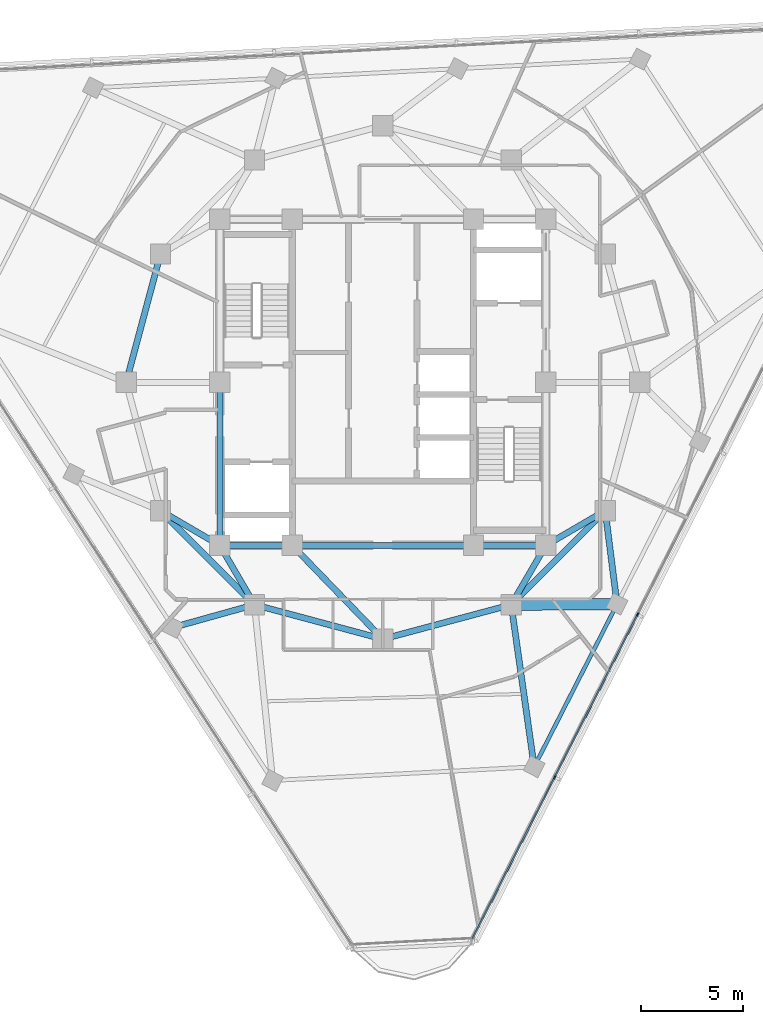
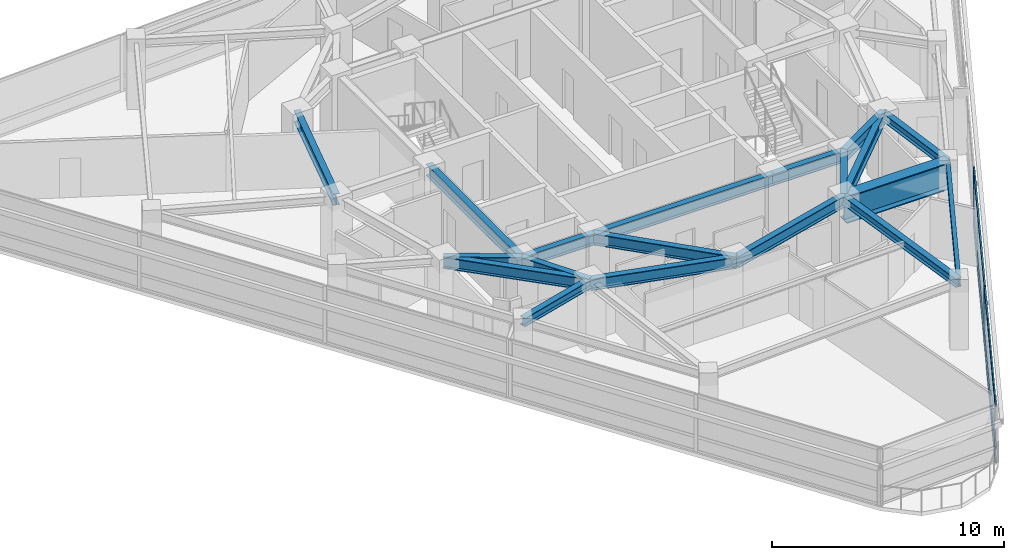
# One storey, part 3 of 15: 19 beams, 8 members, 1 element without a shape of its own.
"""IFC4 building model written with IfcOpenShell, lengths in metres."""

import ifcopenshell
import ifcopenshell.guid

model = None  # the IFC model being written
_history = None  # IfcOwnerHistory: only IFC2X3 demands one
_inside = {}  # id of a spatial element -> (the spatial element, [elements in it])
_under = {}  # id of a project, library or spatial element -> (it, [spatial elements below it])
_declared = {}  # id of a project -> (the project, [libraries it declares])
_typed = {}  # id of a type object -> (the type object, [elements of that type])
_made_of = {}  # id of a material, layer set ... -> (it, [elements and type objects made of it])


def new_model(schema):
    """Start an empty IFC model of exactly this schema.

    Asked for "IFC4X3", IfcOpenShell would pick the latest addendum, in which some entities
    have other attributes; the version numbers below select the first issue.
    IFC2X3 requires an IfcOwnerHistory on every rooted entity: one is made here for all.
    """
    global model, _history
    if schema == "IFC4X3":
        model = ifcopenshell.file(schema_version=(4, 3, 0, 0))
    else:
        model = ifcopenshell.file(schema=schema)
    _inside.clear()
    _under.clear()
    _declared.clear()
    _typed.clear()
    _made_of.clear()
    _history = None
    if model.schema == "IFC2X3":
        org = make("IfcOrganization", Name="unknown")
        user = make(
            "IfcPersonAndOrganization",
            ThePerson=make("IfcPerson", FamilyName="unknown"),
            TheOrganization=org,
        )
        app = make(
            "IfcApplication",
            ApplicationDeveloper=org,
            Version="unknown",
            ApplicationFullName="unknown",
            ApplicationIdentifier="unknown",
        )
        _history = make(
            "IfcOwnerHistory",
            OwningUser=user,
            OwningApplication=app,
            ChangeAction="ADDED",
            CreationDate=0,
        )
    return model


def make(cls, **values):
    """One entity of the class cls with the attributes given. An attribute that is None is left unset."""
    return model.create_entity(
        cls, **{name: value for name, value in values.items() if value is not None}
    )


def rooted(cls, **values):
    """An entity with a GlobalId (a new one), such as an element, a storey or a relation."""
    return make(cls, GlobalId=ifcopenshell.guid.new(), OwnerHistory=_history, **values)


def si_unit(unit_type, name, prefix=None):
    """IfcSIUnit, for example si_unit("LENGTHUNIT", "METRE", prefix="MILLI")."""
    return make("IfcSIUnit", UnitType=unit_type, Prefix=prefix, Name=name)


def assignment(units):
    """IfcUnitAssignment: the units of a project."""
    return None if units is None else make("IfcUnitAssignment", Units=units)


def point(xyz):
    """IfcCartesianPoint."""
    return None if xyz is None else make("IfcCartesianPoint", Coordinates=xyz)


def direction(xyz):
    """IfcDirection."""
    return None if xyz is None else make("IfcDirection", DirectionRatios=xyz)


def frame(location, z_axis=None, x_axis=None):
    """IfcAxis2Placement3D, a coordinate frame: its origin and axes. An axis left out is left unset."""
    return make(
        "IfcAxis2Placement3D",
        Location=point(location),
        Axis=direction(z_axis),
        RefDirection=direction(x_axis),
    )


def frame_2d(location, x_axis=None):
    """IfcAxis2Placement2D, a coordinate frame in the plane: its origin and x axis."""
    return make(
        "IfcAxis2Placement2D", Location=point(location), RefDirection=direction(x_axis)
    )


def origin():
    """The frame at (0, 0, 0) with its axes left unset."""
    return frame((0.0, 0.0, 0.0))


def origin_2d():
    """The frame at (0, 0) in the plane with its x axis left unset."""
    return frame_2d((0.0, 0.0))


def place(relative_to, where):
    """IfcLocalPlacement: puts the frame where relative to a parent placement (None: the world)."""
    return make(
        "IfcLocalPlacement", PlacementRelTo=relative_to, RelativePlacement=where
    )


def context(
    kind, dimensions, precision=None, world=None, true_north=None, identifier=None
):
    """IfcGeometricRepresentationContext, for example the 3D "Model" context."""
    return make(
        "IfcGeometricRepresentationContext",
        ContextIdentifier=identifier,
        ContextType=kind,
        CoordinateSpaceDimension=dimensions,
        Precision=precision,
        WorldCoordinateSystem=world,
        TrueNorth=true_north,
    )


def subcontext(parent, identifier, kind, view, scale=None):
    """IfcGeometricRepresentationSubContext, for example "Body" below "Model"."""
    return make(
        "IfcGeometricRepresentationSubContext",
        ContextIdentifier=identifier,
        ContextType=kind,
        ParentContext=parent,
        TargetScale=scale,
        TargetView=view,
    )


def project(units=None, contexts=None):
    """IfcProject with its units and contexts."""
    return rooted(
        "IfcProject",
        Name="project",
        RepresentationContexts=contexts,
        UnitsInContext=assignment(units),
    )


def spatial(cls, under=None, at=None, **own):
    """A site, building, storey or space (cls), placed at a placement, below another one or the project."""
    s = rooted(cls, ObjectPlacement=at, **own)
    if under is not None:
        _under.setdefault(under.id(), (under, []))[1].append(s)
    return s


def profile(cls, at=None, kind="AREA", **sizes):
    """A parametric profile (cls). Its sizes go by their IFC names, for example OverallWidth=200.0."""
    return make(cls, ProfileType=kind, Position=at, **sizes)


def rectangle(**sizes):
    """IfcRectangleProfileDef."""
    return profile("IfcRectangleProfileDef", **sizes)


def i_section(**sizes):
    """IfcIShapeProfileDef."""
    return profile("IfcIShapeProfileDef", **sizes)


def extrude(swept, where, along, depth):
    """IfcExtrudedAreaSolid: the profile swept, set in the frame where, extruded along a direction by depth."""
    return make(
        "IfcExtrudedAreaSolid",
        SweptArea=swept,
        Position=where,
        ExtrudedDirection=direction(along),
        Depth=depth,
    )


def shape(context_of_items, identifier, shape_type, items):
    """IfcShapeRepresentation: the items that make up one representation, for example the "Body"."""
    return make(
        "IfcShapeRepresentation",
        ContextOfItems=context_of_items,
        RepresentationIdentifier=identifier,
        RepresentationType=shape_type,
        Items=items,
    )


def material(Name=None, Category=None):
    """IfcMaterial."""
    return make("IfcMaterial", Name=Name, Category=Category)


def layer(
    of_material, thickness, ventilated=None, Name=None, Category=None, Priority=None
):
    """IfcMaterialLayer: one layer of a wall or slab, of a material (None: an air gap)."""
    return make(
        "IfcMaterialLayer",
        Material=of_material,
        LayerThickness=thickness,
        IsVentilated=ventilated,
        Name=Name,
        Category=Category,
        Priority=Priority,
    )


def layer_set(layers, Name=None):
    """IfcMaterialLayerSet."""
    return make("IfcMaterialLayerSet", MaterialLayers=layers, LayerSetName=Name)


def material_profile(
    of_material, cross_section, Name=None, Category=None, Priority=None
):
    """IfcMaterialProfile: a cross section and its material."""
    return make(
        "IfcMaterialProfile",
        Name=Name,
        Material=of_material,
        Profile=cross_section,
        Priority=Priority,
        Category=Category,
    )


def profile_set(profiles, Name=None, composite=None):
    """IfcMaterialProfileSet."""
    return make(
        "IfcMaterialProfileSet",
        Name=Name,
        MaterialProfiles=profiles,
        CompositeProfile=composite,
    )


def made_of(thing, what):
    """Note that an element or type object is made of a material, layer set ...; save() writes the relation."""
    if what is not None:
        _made_of.setdefault(what.id(), (what, []))[1].append(thing)
    return thing


def type_object(cls, material=None, **own):
    """A type object (cls), such as IfcWallType, which elements share."""
    return made_of(rooted(cls, **own), material)


def element(
    cls,
    number,
    at=None,
    inside=None,
    cuts=None,
    type_object=None,
    material=None,
    context=None,
    identifier="Body",
    shape_type=None,
    held_by="IfcProductDefinitionShape",
    body=None,
    shapes=None,
    **own,
):
    """One element of the class cls, such as IfcWall. Its Tag is "e" and its number.

    at: its placement. inside: the storey or other place that contains it. cuts: it is an
    opening in that element (IfcRelVoidsElement). A single representation is given by context,
    identifier, shape_type and body (its items); several are given by shapes. held_by: the class
    of the entity that holds the representations. save() writes the other relations.
    """
    e = rooted(cls, Tag="e%d" % number, ObjectPlacement=at, **own)
    if body is not None:
        shapes = [shape(context, identifier, shape_type, body)]
    if shapes is not None:
        e.Representation = make(held_by, Representations=shapes)
    if inside is not None:
        _inside.setdefault(inside.id(), (inside, []))[1].append(e)
    if cuts is not None:
        rooted(
            "IfcRelVoidsElement", RelatingBuildingElement=cuts, RelatedOpeningElement=e
        )
    if type_object is not None:
        _typed.setdefault(type_object.id(), (type_object, []))[1].append(e)
    return made_of(e, material)


def aggregate(whole, parts):
    """IfcRelAggregates: a whole, such as a stair, and the parts it consists of."""
    return rooted("IfcRelAggregates", RelatingObject=whole, RelatedObjects=parts)


def save(model, path):
    """Write the relations noted so far, then the file.

    IfcRelAggregates (storeys below a building ...), IfcRelContainedInSpatialStructure (elements
    in a storey), IfcRelDefinesByType, IfcRelAssociatesMaterial and IfcRelDeclares: one each for
    every whole, place, type object, material and project.
    """
    for whole, parts in _under.values():
        aggregate(whole, parts)
    for where, things in _inside.values():
        rooted(
            "IfcRelContainedInSpatialStructure",
            RelatedElements=things,
            RelatingStructure=where,
        )
    for kind, things in _typed.values():
        rooted("IfcRelDefinesByType", RelatedObjects=things, RelatingType=kind)
    for what, things in _made_of.values():
        rooted("IfcRelAssociatesMaterial", RelatedObjects=things, RelatingMaterial=what)
    for by, libraries in _declared.values():
        rooted("IfcRelDeclares", RelatingContext=by, RelatedDefinitions=libraries)
    model.write(path)


model = new_model("IFC4")

# Units and contexts
model_context = context("Model", 3, precision=1e-05, world=origin(), true_north=direction((0.0, 1.0)))
body_context = subcontext(model_context, "Body", "Model", "MODEL_VIEW")
ifc_project = project(units=[si_unit("LENGTHUNIT", "METRE"), si_unit("AREAUNIT", "SQUARE_METRE"), si_unit("VOLUMEUNIT", "CUBIC_METRE"), si_unit("PLANEANGLEUNIT", "RADIAN"), si_unit("MASSUNIT", "GRAM", prefix="KILO")], contexts=[model_context])

# Site, building, storey
site_placement = place(None, origin())
site = spatial("IfcSite", under=ifc_project, at=site_placement, CompositionType="ELEMENT")
building_placement = place(site_placement, origin())
building = spatial("IfcBuilding", under=site, at=building_placement, Name="Terralouvre Media Tower", CompositionType="ELEMENT")
storey_placement = place(building_placement, frame((0.0, 0.0, 248.5)))
storey = spatial("IfcBuildingStorey", under=building, at=storey_placement, Name="L64", CompositionType="ELEMENT", Elevation=248.5)

# Curtain wall, members
ifc_material_1 = material(Name="Low-iron laminated double glazing with solar-control coating", Category="glass")
ifc_layer = layer(ifc_material_1, 0.1650390625, Name="Upper Executive Tower Curtain Wall CW-05")
ifc_layer_set = layer_set([ifc_layer], Name="Low-iron laminated double glazing with solar-control coating")
curtain_wall_type = type_object("IfcCurtainWallType", Name="Upper Executive Tower Curtain Wall CW-05", PredefinedType="NOTDEFINED", material=ifc_layer_set)
curtain_wall_placement = place(storey_placement, origin())
curtain_wall = element("IfcCurtainWall", 1, at=curtain_wall_placement, inside=storey, type_object=curtain_wall_type, Name="L64 Facade Curtain Wall F0", PredefinedType="NOTDEFINED")
ifc_material_2 = material(Name="Anodised extruded aluminium 6063-T6", Category="aluminium")
ifc_material_profile_1 = material_profile(ifc_material_2, rectangle(XDim=0.074951171875, YDim=0.14990234375, at=origin_2d()), Name="ALU 75x150")
ifc_profile_set_1 = profile_set([ifc_material_profile_1], Name="Anodised extruded aluminium 6063-T6")
member_type_1 = type_object("IfcMemberType", Name="Curtain-Wall Horizontal Transom TR-150", PredefinedType="USERDEFINED", material=ifc_profile_set_1)
member_1_placement = place(storey_placement, frame((4.3994140625, -27.297607421875, 0.03759765625), z_axis=(0.453977864671, 0.891012961964, 0.0), x_axis=(-0.891012961964, 0.453977864671, 0.0)))
member_1 = element("IfcMember", 2, at=member_1_placement, type_object=member_type_1, Name="CW-05 transom 1.1", ObjectType="TRANSOM", PredefinedType="USERDEFINED", context=body_context, shape_type="SweptSolid", body=[
    extrude(rectangle(XDim=0.074951171875, YDim=0.14990234375, at=origin_2d()), origin(), (0.0, 0.0, 1.0), 8.84765625),
])
member_2_placement = place(storey_placement, frame((4.3994140625, -27.297607421875, 0.800048828125), z_axis=(0.453977864671, 0.891012961964, 0.0), x_axis=(-0.891012961964, 0.453977864671, 0.0)))
member_2 = element("IfcMember", 3, at=member_2_placement, type_object=member_type_1, Name="CW-05 transom 1.2", ObjectType="TRANSOM", PredefinedType="USERDEFINED", context=body_context, shape_type="SweptSolid", body=[
    extrude(rectangle(XDim=0.074951171875, YDim=0.14990234375, at=origin_2d()), origin(), (0.0, 0.0, 1.0), 8.84765625),
])
member_3_placement = place(storey_placement, frame((4.3994140625, -27.297607421875, 2.96240234375), z_axis=(0.453977864671, 0.891012961964, 0.0), x_axis=(-0.891012961964, 0.453977864671, 0.0)))
member_3 = element("IfcMember", 4, at=member_3_placement, type_object=member_type_1, Name="CW-05 transom 1.3", ObjectType="TRANSOM", PredefinedType="USERDEFINED", context=body_context, shape_type="SweptSolid", body=[
    extrude(rectangle(XDim=0.074951171875, YDim=0.14990234375, at=origin_2d()), origin(), (0.0, 0.0, 1.0), 8.84765625),
])
member_4_placement = place(storey_placement, frame((8.449951171875, -19.347412109375, 0.03759765625), z_axis=(0.454015101289, 0.890993988645, 0.0), x_axis=(-0.890993988645, 0.454015101289, 0.0)))
member_4 = element("IfcMember", 5, at=member_4_placement, type_object=member_type_1, Name="CW-05 transom 2.1", ObjectType="TRANSOM", PredefinedType="USERDEFINED", context=body_context, shape_type="SweptSolid", body=[
    extrude(rectangle(XDim=0.074951171875, YDim=0.14990234375, at=origin_2d()), origin(), (0.0, 0.0, 1.0), 8.885009765625),
])
member_5_placement = place(storey_placement, frame((8.449951171875, -19.347412109375, 0.800048828125), z_axis=(0.454015101289, 0.890993988645, 0.0), x_axis=(-0.890993988645, 0.454015101289, 0.0)))
member_5 = element("IfcMember", 6, at=member_5_placement, type_object=member_type_1, Name="CW-05 transom 2.2", ObjectType="TRANSOM", PredefinedType="USERDEFINED", context=body_context, shape_type="SweptSolid", body=[
    extrude(rectangle(XDim=0.074951171875, YDim=0.14990234375, at=origin_2d()), origin(), (0.0, 0.0, 1.0), 8.885009765625),
])
member_6_placement = place(storey_placement, frame((8.449951171875, -19.347412109375, 2.96240234375), z_axis=(0.454015101289, 0.890993988645, 0.0), x_axis=(-0.890993988645, 0.454015101289, 0.0)))
member_6 = element("IfcMember", 7, at=member_6_placement, type_object=member_type_1, Name="CW-05 transom 2.3", ObjectType="TRANSOM", PredefinedType="USERDEFINED", context=body_context, shape_type="SweptSolid", body=[
    extrude(rectangle(XDim=0.074951171875, YDim=0.14990234375, at=origin_2d()), origin(), (0.0, 0.0, 1.0), 8.885009765625),
])
ifc_material_3 = material(Name="Anodised extruded aluminium 6063-T6", Category="aluminium")
ifc_material_profile_2 = material_profile(ifc_material_3, rectangle(XDim=0.074951171875, YDim=0.179931640625, at=origin_2d()), Name="ALU 75x180")
ifc_profile_set_2 = profile_set([ifc_material_profile_2], Name="Anodised extruded aluminium 6063-T6")
member_type_2 = type_object("IfcMemberType", Name="Curtain-Wall Vertical Mullion ML-180", PredefinedType="MULLION", material=ifc_profile_set_2)
member_7_placement = place(storey_placement, frame((8.43310546875, -19.380859375, 0.0), z_axis=(0.0, 0.0, 1.0), x_axis=(-0.891006553308, 0.45399044259, 0.0)))
member_7 = element("IfcMember", 8, at=member_7_placement, type_object=member_type_2, Name="CW-05 mullion 2", PredefinedType="MULLION", context=body_context, shape_type="SweptSolid", body=[
    extrude(rectangle(XDim=0.074951171875, YDim=0.179931640625, at=origin_2d()), origin(), (0.0, 0.0, 1.0), 3.0),
])
member_8_placement = place(storey_placement, frame((12.500732421875, -11.3974609375, 0.0), z_axis=(0.0, 0.0, 1.0), x_axis=(-0.891006553308, 0.45399044259, 0.0)))
member_8 = element("IfcMember", 9, at=member_8_placement, type_object=member_type_2, Name="CW-05 mullion 3", PredefinedType="MULLION", context=body_context, shape_type="SweptSolid", body=[
    extrude(rectangle(XDim=0.074951171875, YDim=0.179931640625, at=origin_2d()), origin(), (0.0, 0.0, 1.0), 3.0),
])
aggregate(curtain_wall, [member_7, member_8, member_1, member_2, member_3, member_4, member_5, member_6])

# Beams
ifc_material_4 = material(Name="Structural steel S355J2", Category="steel")
ifc_material_profile_3 = material_profile(ifc_material_4, i_section(OverallWidth=0.18994140625, OverallDepth=0.449951171875, WebThickness=0.009521484375, FlangeThickness=0.0146484375, at=origin_2d()), Name="IPE 450")
ifc_profile_set_3 = profile_set([ifc_material_profile_3], Name="Structural steel S355J2")
beam_type_1 = type_object("IfcBeamType", Name="Perimeter Spandrel Beam SPB-450 (IPE 450)", PredefinedType="SPANDREL", material=ifc_profile_set_3)
beam_1_placement = place(storey_placement, frame((7.42626953125, -18.867919921875, 3.264892578125), z_axis=(0.453980068772, 0.891011838955, 0.0), x_axis=(-0.891011838955, 0.453980068772, 0.0)))
element("IfcBeam", 10, at=beam_1_placement, inside=storey, type_object=beam_type_1, Name="L64 Framing Beam BM-L64-PR04", PredefinedType="SPANDREL", context=body_context, shape_type="SweptSolid", body=[
    extrude(i_section(OverallWidth=0.18994140625, OverallDepth=0.449951171875, WebThickness=0.009521484375, FlangeThickness=0.0146484375, at=origin_2d()), origin(), (0.0, 0.0, 1.0), 8.9599609375),
])
ifc_material_5 = material(Name="Structural steel S355J2", Category="steel")
ifc_material_profile_4 = material_profile(ifc_material_5, i_section(OverallWidth=0.300048828125, OverallDepth=0.449951171875, WebThickness=0.013916015625, FlangeThickness=0.02587890625, at=origin_2d()), Name="HEB 450")
ifc_profile_set_4 = profile_set([ifc_material_profile_4], Name="Structural steel S355J2")
beam_type_2 = type_object("IfcBeamType", Name="Primary Floor Girder B-HEB450 (HEB 450)", PredefinedType="BEAM", material=ifc_profile_set_4)
beam_2_placement = place(storey_placement, frame((-6.300048828125, -10.911865234375, 3.27490234375), z_axis=(-0.963188145668, -0.268828190571, 0.0), x_axis=(0.268828190571, -0.963188145668, 0.0)))
element("IfcBeam", 11, at=beam_2_placement, inside=storey, type_object=beam_type_2, Name="L64 Framing Beam BM-L64-RD02", PredefinedType="BEAM", context=body_context, shape_type="SweptSolid", body=[
    extrude(i_section(OverallWidth=0.300048828125, OverallDepth=0.449951171875, WebThickness=0.013916015625, FlangeThickness=0.02587890625, at=origin_2d()), origin(), (0.0, 0.0, 1.0), 4.145751953125),
])
beam_3_placement = place(storey_placement, frame((6.300048828125, -10.911865234375, 3.27490234375), z_axis=(0.140157905782, -0.990129164022, 0.0), x_axis=(0.990129164022, 0.140157905782, 0.0)))
element("IfcBeam", 12, at=beam_3_placement, inside=storey, type_object=beam_type_2, Name="L64 Framing Beam BM-L64-RD04", PredefinedType="BEAM", context=body_context, shape_type="SweptSolid", body=[
    extrude(i_section(OverallWidth=0.300048828125, OverallDepth=0.449951171875, WebThickness=0.013916015625, FlangeThickness=0.02587890625, at=origin_2d()), origin(), (0.0, 0.0, 1.0), 8.035400390625),
])
beam_4_placement = place(storey_placement, frame((10.911865234375, -6.300048828125, 3.264892578125), z_axis=(0.125946128673, -0.992037082307, 0.0), x_axis=(0.992037082307, 0.125946128673, 0.0)))
element("IfcBeam", 13, at=beam_4_placement, inside=storey, type_object=beam_type_2, Name="L64 Framing Beam BM-L64-RD05", PredefinedType="BEAM", context=body_context, shape_type="SweptSolid", body=[
    extrude(i_section(OverallWidth=0.300048828125, OverallDepth=0.449951171875, WebThickness=0.013916015625, FlangeThickness=0.02587890625, at=origin_2d()), origin(), (0.0, 0.0, 1.0), 4.621337890625),
])
ifc_material_6 = material(Name="Structural steel S460M", Category="steel")
ifc_material_profile_5 = material_profile(ifc_material_6, i_section(OverallWidth=0.300048828125, OverallDepth=0.60009765625, WebThickness=0.015380859375, FlangeThickness=0.030029296875, at=origin_2d()), Name="HEB 600")
ifc_profile_set_5 = profile_set([ifc_material_profile_5], Name="Structural steel S460M")
beam_type_3 = type_object("IfcBeamType", Name="Primary Floor Girder B-HEB600 (HEB 600)", PredefinedType="BEAM", material=ifc_profile_set_5)
beam_5_placement = place(storey_placement, frame((-8.0, -8.0, 3.199951171875), z_axis=(1.0, 0.0, 0.0), x_axis=(0.0, 1.0, 0.0)))
element("IfcBeam", 14, at=beam_5_placement, inside=storey, type_object=beam_type_3, Name="L64 Framing Beam BM-L64-CPR01", PredefinedType="BEAM", context=body_context, shape_type="SweptSolid", body=[
    extrude(i_section(OverallWidth=0.300048828125, OverallDepth=0.60009765625, WebThickness=0.015380859375, FlangeThickness=0.030029296875, at=origin_2d()), origin(), (0.0, 0.0, 1.0), 3.550048828125),
])
beam_6_placement = place(storey_placement, frame((-4.449951171875, -8.0, 3.199951171875), z_axis=(1.0, 0.0, 0.0), x_axis=(0.0, 1.0, 0.0)))
element("IfcBeam", 15, at=beam_6_placement, inside=storey, type_object=beam_type_3, Name="L64 Framing Beam BM-L64-CPR02", PredefinedType="BEAM", context=body_context, shape_type="SweptSolid", body=[
    extrude(i_section(OverallWidth=0.300048828125, OverallDepth=0.60009765625, WebThickness=0.015380859375, FlangeThickness=0.030029296875, at=origin_2d()), origin(), (0.0, 0.0, 1.0), 8.89990234375),
])
beam_7_placement = place(storey_placement, frame((4.449951171875, -8.0, 3.199951171875), z_axis=(1.0, 0.0, 0.0), x_axis=(0.0, 1.0, 0.0)))
element("IfcBeam", 16, at=beam_7_placement, inside=storey, type_object=beam_type_3, Name="L64 Framing Beam BM-L64-CPR03", PredefinedType="BEAM", context=body_context, shape_type="SweptSolid", body=[
    extrude(i_section(OverallWidth=0.300048828125, OverallDepth=0.60009765625, WebThickness=0.015380859375, FlangeThickness=0.030029296875, at=origin_2d()), origin(), (0.0, 0.0, 1.0), 3.550048828125),
])
beam_8_placement = place(storey_placement, frame((-8.0, 0.0, 3.199951171875), z_axis=(0.0, -1.0, 0.0), x_axis=(1.0, 0.0, 0.0)))
element("IfcBeam", 17, at=beam_8_placement, inside=storey, type_object=beam_type_3, Name="L64 Framing Beam BM-L64-CPR10", PredefinedType="BEAM", context=body_context, shape_type="SweptSolid", body=[
    extrude(i_section(OverallWidth=0.300048828125, OverallDepth=0.60009765625, WebThickness=0.015380859375, FlangeThickness=0.030029296875, at=origin_2d()), origin(), (0.0, 0.0, 1.0), 8.0),
])
beam_9_placement = place(storey_placement, frame((-10.911865234375, -6.300048828125, 3.199951171875), z_axis=(0.707106781187, -0.707106781187, 0.0), x_axis=(0.707106781187, 0.707106781187, 0.0)))
element("IfcBeam", 18, at=beam_9_placement, inside=storey, type_object=beam_type_3, Name="L64 Framing Beam BM-L64-MR01", PredefinedType="BEAM", context=body_context, shape_type="SweptSolid", body=[
    extrude(i_section(OverallWidth=0.300048828125, OverallDepth=0.60009765625, WebThickness=0.015380859375, FlangeThickness=0.030029296875, at=origin_2d()), origin(), (0.0, 0.0, 1.0), 6.52197265625),
])
for number, where, z_axis, x_axis, name in (
    (19, (-6.300048828125, -10.911865234375, 3.199951171875), (0.965920481897, -0.258838989821, 0.0), (0.258838989821, 0.965920481897, 0.0), "L64 Framing Beam BM-L64-MR02"),
    (20, (0.0, -12.60009765625, 3.199951171875), (0.965920481897, 0.258838989821, 0.0), (-0.258838989821, 0.965920481897, 0.0), "L64 Framing Beam BM-L64-MR03"),
):
    element("IfcBeam", number, at=place(storey_placement, frame(where, z_axis=z_axis, x_axis=x_axis)), inside=storey, type_object=beam_type_3, Name=name, PredefinedType="BEAM", context=body_context, shape_type="SweptSolid", body=[
        extrude(i_section(OverallWidth=0.300048828125, OverallDepth=0.60009765625, WebThickness=0.015380859375, FlangeThickness=0.030029296875, at=origin_2d()), origin(), (0.0, 0.0, 1.0), 6.522216796875),
    ])
beam_10_placement = place(storey_placement, frame((6.300048828125, -10.911865234375, 3.199951171875), z_axis=(0.707106781187, 0.707106781187, 0.0), x_axis=(-0.707106781187, 0.707106781187, 0.0)))
element("IfcBeam", 21, at=beam_10_placement, inside=storey, type_object=beam_type_3, Name="L64 Framing Beam BM-L64-MR04", PredefinedType="BEAM", context=body_context, shape_type="SweptSolid", body=[
    extrude(i_section(OverallWidth=0.300048828125, OverallDepth=0.60009765625, WebThickness=0.015380859375, FlangeThickness=0.030029296875, at=origin_2d()), origin(), (0.0, 0.0, 1.0), 6.52197265625),
])
beam_11_placement = place(storey_placement, frame((-10.911865234375, 6.300048828125, 3.199951171875), z_axis=(-0.258838989821, -0.965920481897, 0.0), x_axis=(0.965920481897, -0.258838989821, 0.0)))
element("IfcBeam", 22, at=beam_11_placement, inside=storey, type_object=beam_type_3, Name="L64 Framing Beam BM-L64-MR11", PredefinedType="BEAM", context=body_context, shape_type="SweptSolid", body=[
    extrude(i_section(OverallWidth=0.300048828125, OverallDepth=0.60009765625, WebThickness=0.015380859375, FlangeThickness=0.030029296875, at=origin_2d()), origin(), (0.0, 0.0, 1.0), 6.522216796875),
])
for number, where, z_axis, x_axis, name in (
    (23, (-8.0, -8.0, 3.199951171875), (-0.863602894532, 0.504172629717, 0.0), (-0.504172629717, -0.863602894532, 0.0), "L64 Framing Beam BM-L64-CM01"),
    (24, (-8.0, -8.0, 3.199951171875), (0.504172629717, -0.863602894532, 0.0), (0.863602894532, 0.504172629717, 0.0), "L64 Framing Beam BM-L64-CM02"),
):
    element("IfcBeam", number, at=place(storey_placement, frame(where, z_axis=z_axis, x_axis=x_axis)), inside=storey, type_object=beam_type_3, Name=name, PredefinedType="BEAM", context=body_context, shape_type="SweptSolid", body=[
        extrude(i_section(OverallWidth=0.300048828125, OverallDepth=0.60009765625, WebThickness=0.015380859375, FlangeThickness=0.030029296875, at=origin_2d()), origin(), (0.0, 0.0, 1.0), 3.371826171875),
    ])
beam_12_placement = place(storey_placement, frame((-4.449951171875, -8.0, 3.199951171875), z_axis=(0.695279715726, -0.718739255155, 0.0), x_axis=(0.718739255155, 0.695279715726, 0.0)))
element("IfcBeam", 25, at=beam_12_placement, inside=storey, type_object=beam_type_3, Name="L64 Framing Beam BM-L64-CM03", PredefinedType="BEAM", context=body_context, shape_type="SweptSolid", body=[
    extrude(i_section(OverallWidth=0.300048828125, OverallDepth=0.60009765625, WebThickness=0.015380859375, FlangeThickness=0.030029296875, at=origin_2d()), origin(), (0.0, 0.0, 1.0), 6.400146484375),
])
for number, where, z_axis, x_axis, name in (
    (26, (8.0, -8.0, 3.199951171875), (-0.504172629717, -0.863602894532, 0.0), (0.863602894532, -0.504172629717, 0.0), "L64 Framing Beam BM-L64-CM04"),
    (27, (8.0, -8.0, 3.199951171875), (0.863602894532, 0.504172629717, 0.0), (-0.504172629717, 0.863602894532, 0.0), "L64 Framing Beam BM-L64-CM05"),
):
    element("IfcBeam", number, at=place(storey_placement, frame(where, z_axis=z_axis, x_axis=x_axis)), inside=storey, type_object=beam_type_3, Name=name, PredefinedType="BEAM", context=body_context, shape_type="SweptSolid", body=[
        extrude(i_section(OverallWidth=0.300048828125, OverallDepth=0.60009765625, WebThickness=0.015380859375, FlangeThickness=0.030029296875, at=origin_2d()), origin(), (0.0, 0.0, 1.0), 3.371826171875),
    ])
ifc_material_7 = material(Name="Structural steel S460M", Category="steel")
ifc_material_profile_6 = material_profile(ifc_material_7, i_section(OverallWidth=0.56005859375, OverallDepth=1.39990234375, WebThickness=0.031982421875, FlangeThickness=0.050048828125, at=origin_2d()), Name="TG 1400x560")
ifc_profile_set_6 = profile_set([ifc_material_profile_6], Name="Structural steel S460M")
beam_type_4 = type_object("IfcBeamType", Name="Welded Transfer Girder TG-1400 (TG 1400x560)", PredefinedType="USERDEFINED", material=ifc_profile_set_6)
beam_13_placement = place(storey_placement, frame((6.300048828125, -10.911865234375, 2.7900390625), z_axis=(0.999986142059, 0.005264569329, 0.0), x_axis=(-0.005264569329, 0.999986142059, 0.0)))
element("IfcBeam", 28, at=beam_13_placement, inside=storey, type_object=beam_type_4, Name="L64 Framing Beam BM-L64-SG02", ObjectType="TRANSFER GIRDER", PredefinedType="USERDEFINED", context=body_context, shape_type="SweptSolid", body=[
    extrude(i_section(OverallWidth=0.56005859375, OverallDepth=1.39990234375, WebThickness=0.031982421875, FlangeThickness=0.050048828125, at=origin_2d()), origin(), (0.0, 0.0, 1.0), 5.19384765625),
])

save(model, "model.ifc")
